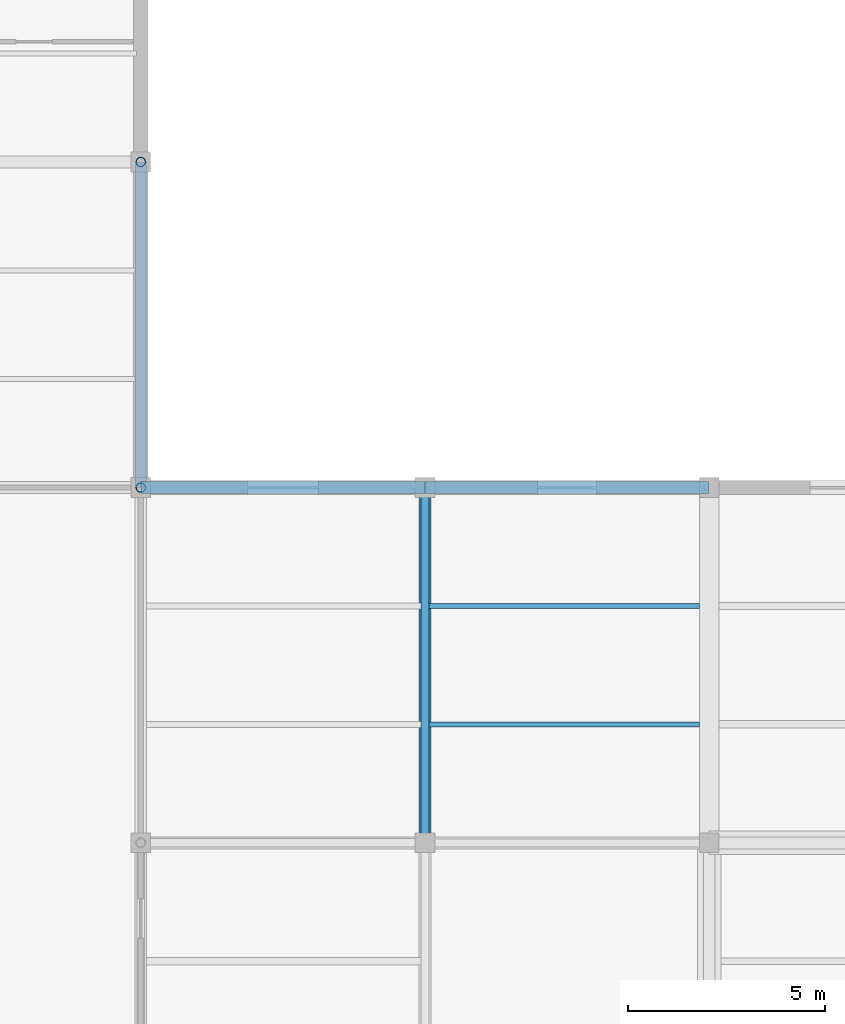
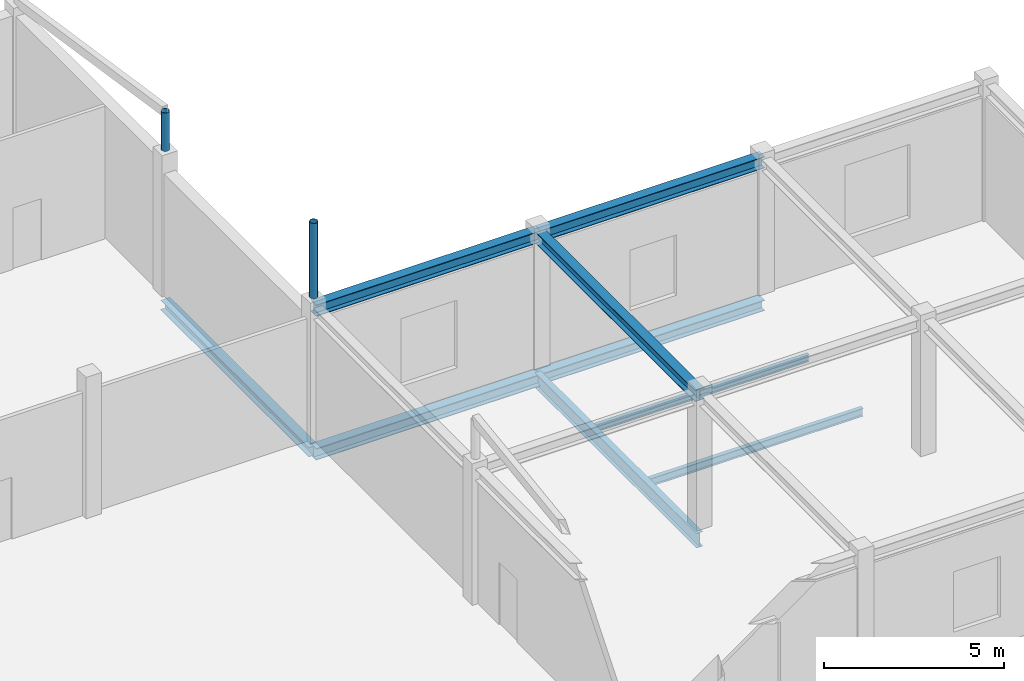
# One storey, part 13 of 35: 9 beams, 2 members.
"""IFC4 building model written with IfcOpenShell, lengths in metres."""

import ifcopenshell
import ifcopenshell.guid

model = None  # the IFC model being written
_history = None  # IfcOwnerHistory: only IFC2X3 demands one
_inside = {}  # id of a spatial element -> (the spatial element, [elements in it])
_under = {}  # id of a project, library or spatial element -> (it, [spatial elements below it])
_declared = {}  # id of a project -> (the project, [libraries it declares])
_typed = {}  # id of a type object -> (the type object, [elements of that type])
_made_of = {}  # id of a material, layer set ... -> (it, [elements and type objects made of it])


def new_model(schema):
    """Start an empty IFC model of exactly this schema.

    Asked for "IFC4X3", IfcOpenShell would pick the latest addendum, in which some entities
    have other attributes; the version numbers below select the first issue.
    IFC2X3 requires an IfcOwnerHistory on every rooted entity: one is made here for all.
    """
    global model, _history
    if schema == "IFC4X3":
        model = ifcopenshell.file(schema_version=(4, 3, 0, 0))
    else:
        model = ifcopenshell.file(schema=schema)
    _inside.clear()
    _under.clear()
    _declared.clear()
    _typed.clear()
    _made_of.clear()
    _history = None
    if model.schema == "IFC2X3":
        org = make("IfcOrganization", Name="unknown")
        user = make(
            "IfcPersonAndOrganization",
            ThePerson=make("IfcPerson", FamilyName="unknown"),
            TheOrganization=org,
        )
        app = make(
            "IfcApplication",
            ApplicationDeveloper=org,
            Version="unknown",
            ApplicationFullName="unknown",
            ApplicationIdentifier="unknown",
        )
        _history = make(
            "IfcOwnerHistory",
            OwningUser=user,
            OwningApplication=app,
            ChangeAction="ADDED",
            CreationDate=0,
        )
    return model


def make(cls, **values):
    """One entity of the class cls with the attributes given. An attribute that is None is left unset."""
    return model.create_entity(
        cls, **{name: value for name, value in values.items() if value is not None}
    )


def rooted(cls, **values):
    """An entity with a GlobalId (a new one), such as an element, a storey or a relation."""
    return make(cls, GlobalId=ifcopenshell.guid.new(), OwnerHistory=_history, **values)


def si_unit(unit_type, name, prefix=None):
    """IfcSIUnit, for example si_unit("LENGTHUNIT", "METRE", prefix="MILLI")."""
    return make("IfcSIUnit", UnitType=unit_type, Prefix=prefix, Name=name)


def assignment(units):
    """IfcUnitAssignment: the units of a project."""
    return None if units is None else make("IfcUnitAssignment", Units=units)


def point(xyz):
    """IfcCartesianPoint."""
    return None if xyz is None else make("IfcCartesianPoint", Coordinates=xyz)


def direction(xyz):
    """IfcDirection."""
    return None if xyz is None else make("IfcDirection", DirectionRatios=xyz)


def frame(location, z_axis=None, x_axis=None):
    """IfcAxis2Placement3D, a coordinate frame: its origin and axes. An axis left out is left unset."""
    return make(
        "IfcAxis2Placement3D",
        Location=point(location),
        Axis=direction(z_axis),
        RefDirection=direction(x_axis),
    )


def frame_2d(location, x_axis=None):
    """IfcAxis2Placement2D, a coordinate frame in the plane: its origin and x axis."""
    return make(
        "IfcAxis2Placement2D", Location=point(location), RefDirection=direction(x_axis)
    )


def origin():
    """The frame at (0, 0, 0) with its axes left unset."""
    return frame((0.0, 0.0, 0.0))


def origin_2d():
    """The frame at (0, 0) in the plane with its x axis left unset."""
    return frame_2d((0.0, 0.0))


def place(relative_to, where):
    """IfcLocalPlacement: puts the frame where relative to a parent placement (None: the world)."""
    return make(
        "IfcLocalPlacement", PlacementRelTo=relative_to, RelativePlacement=where
    )


def context(
    kind, dimensions, precision=None, world=None, true_north=None, identifier=None
):
    """IfcGeometricRepresentationContext, for example the 3D "Model" context."""
    return make(
        "IfcGeometricRepresentationContext",
        ContextIdentifier=identifier,
        ContextType=kind,
        CoordinateSpaceDimension=dimensions,
        Precision=precision,
        WorldCoordinateSystem=world,
        TrueNorth=true_north,
    )


def subcontext(parent, identifier, kind, view, scale=None):
    """IfcGeometricRepresentationSubContext, for example "Body" below "Model"."""
    return make(
        "IfcGeometricRepresentationSubContext",
        ContextIdentifier=identifier,
        ContextType=kind,
        ParentContext=parent,
        TargetScale=scale,
        TargetView=view,
    )


def project(units=None, contexts=None):
    """IfcProject with its units and contexts."""
    return rooted(
        "IfcProject",
        Name="project",
        RepresentationContexts=contexts,
        UnitsInContext=assignment(units),
    )


def spatial(cls, under=None, at=None, **own):
    """A site, building, storey or space (cls), placed at a placement, below another one or the project."""
    s = rooted(cls, ObjectPlacement=at, **own)
    if under is not None:
        _under.setdefault(under.id(), (under, []))[1].append(s)
    return s


def profile(cls, at=None, kind="AREA", **sizes):
    """A parametric profile (cls). Its sizes go by their IFC names, for example OverallWidth=200.0."""
    return make(cls, ProfileType=kind, Position=at, **sizes)


def hollow_circle(**sizes):
    """IfcCircleHollowProfileDef."""
    return profile("IfcCircleHollowProfileDef", **sizes)


def i_section(**sizes):
    """IfcIShapeProfileDef."""
    return profile("IfcIShapeProfileDef", **sizes)


def extrude(swept, where, along, depth):
    """IfcExtrudedAreaSolid: the profile swept, set in the frame where, extruded along a direction by depth."""
    return make(
        "IfcExtrudedAreaSolid",
        SweptArea=swept,
        Position=where,
        ExtrudedDirection=direction(along),
        Depth=depth,
    )


def shape(context_of_items, identifier, shape_type, items):
    """IfcShapeRepresentation: the items that make up one representation, for example the "Body"."""
    return make(
        "IfcShapeRepresentation",
        ContextOfItems=context_of_items,
        RepresentationIdentifier=identifier,
        RepresentationType=shape_type,
        Items=items,
    )


def material(Name=None, Category=None):
    """IfcMaterial."""
    return make("IfcMaterial", Name=Name, Category=Category)


def material_profile(
    of_material, cross_section, Name=None, Category=None, Priority=None
):
    """IfcMaterialProfile: a cross section and its material."""
    return make(
        "IfcMaterialProfile",
        Name=Name,
        Material=of_material,
        Profile=cross_section,
        Priority=Priority,
        Category=Category,
    )


def profile_set(profiles, Name=None, composite=None):
    """IfcMaterialProfileSet."""
    return make(
        "IfcMaterialProfileSet",
        Name=Name,
        MaterialProfiles=profiles,
        CompositeProfile=composite,
    )


def made_of(thing, what):
    """Note that an element or type object is made of a material, layer set ...; save() writes the relation."""
    if what is not None:
        _made_of.setdefault(what.id(), (what, []))[1].append(thing)
    return thing


def type_object(cls, material=None, **own):
    """A type object (cls), such as IfcWallType, which elements share."""
    return made_of(rooted(cls, **own), material)


def element(
    cls,
    number,
    at=None,
    inside=None,
    cuts=None,
    type_object=None,
    material=None,
    context=None,
    identifier="Body",
    shape_type=None,
    held_by="IfcProductDefinitionShape",
    body=None,
    shapes=None,
    **own,
):
    """One element of the class cls, such as IfcWall. Its Tag is "e" and its number.

    at: its placement. inside: the storey or other place that contains it. cuts: it is an
    opening in that element (IfcRelVoidsElement). A single representation is given by context,
    identifier, shape_type and body (its items); several are given by shapes. held_by: the class
    of the entity that holds the representations. save() writes the other relations.
    """
    e = rooted(cls, Tag="e%d" % number, ObjectPlacement=at, **own)
    if body is not None:
        shapes = [shape(context, identifier, shape_type, body)]
    if shapes is not None:
        e.Representation = make(held_by, Representations=shapes)
    if inside is not None:
        _inside.setdefault(inside.id(), (inside, []))[1].append(e)
    if cuts is not None:
        rooted(
            "IfcRelVoidsElement", RelatingBuildingElement=cuts, RelatedOpeningElement=e
        )
    if type_object is not None:
        _typed.setdefault(type_object.id(), (type_object, []))[1].append(e)
    return made_of(e, material)


def aggregate(whole, parts):
    """IfcRelAggregates: a whole, such as a stair, and the parts it consists of."""
    return rooted("IfcRelAggregates", RelatingObject=whole, RelatedObjects=parts)


def save(model, path):
    """Write the relations noted so far, then the file.

    IfcRelAggregates (storeys below a building ...), IfcRelContainedInSpatialStructure (elements
    in a storey), IfcRelDefinesByType, IfcRelAssociatesMaterial and IfcRelDeclares: one each for
    every whole, place, type object, material and project.
    """
    for whole, parts in _under.values():
        aggregate(whole, parts)
    for where, things in _inside.values():
        rooted(
            "IfcRelContainedInSpatialStructure",
            RelatedElements=things,
            RelatingStructure=where,
        )
    for kind, things in _typed.values():
        rooted("IfcRelDefinesByType", RelatedObjects=things, RelatingType=kind)
    for what, things in _made_of.values():
        rooted("IfcRelAssociatesMaterial", RelatedObjects=things, RelatingMaterial=what)
    for by, libraries in _declared.values():
        rooted("IfcRelDeclares", RelatingContext=by, RelatedDefinitions=libraries)
    model.write(path)


model = new_model("IFC4")

# Units and contexts
model_context = context("Model", 3, precision=1e-05, world=origin(), true_north=direction((0.0, 1.0)))
body_context = subcontext(model_context, "Body", "Model", "MODEL_VIEW")
ifc_project = project(units=[si_unit("LENGTHUNIT", "METRE"), si_unit("AREAUNIT", "SQUARE_METRE"), si_unit("VOLUMEUNIT", "CUBIC_METRE"), si_unit("PLANEANGLEUNIT", "RADIAN"), si_unit("MASSUNIT", "GRAM", prefix="KILO")], contexts=[model_context])

# Site, building, storey
site_placement = place(None, origin())
site = spatial("IfcSite", under=ifc_project, at=site_placement, CompositionType="ELEMENT")
building_placement = place(site_placement, origin())
building = spatial("IfcBuilding", under=site, at=building_placement, Name="Sundgate Opera House", CompositionType="ELEMENT")
storey_placement = place(building_placement, frame((0.0, 0.0, 21.60009765625)))
storey = spatial("IfcBuildingStorey", under=building, at=storey_placement, Name="L04", CompositionType="ELEMENT", Elevation=21.60009765625)

# Beams
ifc_material_1 = material(Name="Steel S355J2", Category="steel")
ifc_material_profile_1 = material_profile(ifc_material_1, i_section(OverallWidth=0.300048828125, OverallDepth=0.330078125, WebThickness=0.009521484375, FlangeThickness=0.0166015625, at=origin_2d()), Name="HEA 340")
ifc_profile_set_1 = profile_set([ifc_material_profile_1], Name="Steel S355J2")
beam_type_1 = type_object("IfcBeamType", Name="BM-GR-HEA340", PredefinedType="BEAM", material=ifc_profile_set_1)
beam_1_placement = place(storey_placement, frame((124.199951171875, 87.0, -0.445068359375), z_axis=(0.0, 1.0, 0.0), x_axis=(-1.0, 0.0, 0.0)))
element("IfcBeam", 1, at=beam_1_placement, inside=storey, type_object=beam_type_1, Name="L04 Primary N-S Girder B2934", PredefinedType="BEAM", context=body_context, shape_type="SweptSolid", body=[
    extrude(i_section(OverallWidth=0.300048828125, OverallDepth=0.330078125, WebThickness=0.009521484375, FlangeThickness=0.0166015625, at=origin_2d()), origin(), (0.0, 0.0, 1.0), 8.25),
])
ifc_material_2 = material(Name="Steel S355J2", Category="steel")
ifc_material_profile_2 = material_profile(ifc_material_2, i_section(OverallWidth=0.300048828125, OverallDepth=0.389892578125, WebThickness=0.010986328125, FlangeThickness=0.01904296875, at=origin_2d()), Name="HEA 400")
ifc_profile_set_2 = profile_set([ifc_material_profile_2], Name="Steel S355J2")
beam_type_2 = type_object("IfcBeamType", Name="BM-GR-HEA400", PredefinedType="BEAM", material=ifc_profile_set_2)
beam_2_placement = place(storey_placement, frame((131.39990234375, 78.0, 4.39501953125), z_axis=(0.0, 1.0, 0.0), x_axis=(-1.0, 0.0, 0.0)))
element("IfcBeam", 2, at=beam_2_placement, inside=storey, type_object=beam_type_2, Name="L04 L04 Roof Girder B3424", PredefinedType="BEAM", context=body_context, shape_type="SweptSolid", body=[
    extrude(i_section(OverallWidth=0.300048828125, OverallDepth=0.389892578125, WebThickness=0.010986328125, FlangeThickness=0.01904296875, at=origin_2d()), origin(), (0.0, 0.0, 1.0), 9.0),
])
beam_3_placement = place(storey_placement, frame((124.199951171875, 87.0, 4.39501953125), z_axis=(1.0, 0.0, 0.0), x_axis=(0.0, 1.0, 0.0)))
element("IfcBeam", 3, at=beam_3_placement, inside=storey, type_object=beam_type_2, Name="L04 L04 Roof Girder B3435", PredefinedType="BEAM", context=body_context, shape_type="SweptSolid", body=[
    extrude(i_section(OverallWidth=0.300048828125, OverallDepth=0.389892578125, WebThickness=0.010986328125, FlangeThickness=0.01904296875, at=origin_2d()), origin(), (0.0, 0.0, 1.0), 7.199951171875),
])
beam_4_placement = place(storey_placement, frame((131.39990234375, 87.0, 4.39501953125), z_axis=(1.0, 0.0, 0.0), x_axis=(0.0, 1.0, 0.0)))
element("IfcBeam", 4, at=beam_4_placement, inside=storey, type_object=beam_type_2, Name="L04 L04 Roof Girder B3436", PredefinedType="BEAM", context=body_context, shape_type="SweptSolid", body=[
    extrude(i_section(OverallWidth=0.300048828125, OverallDepth=0.389892578125, WebThickness=0.010986328125, FlangeThickness=0.01904296875, at=origin_2d()), origin(), (0.0, 0.0, 1.0), 7.2001953125),
])
ifc_material_3 = material(Name="Steel S355J2", Category="steel")
ifc_material_profile_3 = material_profile(ifc_material_3, i_section(OverallWidth=0.300048828125, OverallDepth=0.360107421875, WebThickness=0.012451171875, FlangeThickness=0.0224609375, at=origin_2d()), Name="HEB 360")
ifc_profile_set_3 = profile_set([ifc_material_profile_3], Name="Steel S355J2")
beam_type_3 = type_object("IfcBeamType", Name="BM-GR-HEB360", PredefinedType="BEAM", material=ifc_profile_set_3)
beam_5_placement = place(storey_placement, frame((131.39990234375, 87.0, -0.460205078125), z_axis=(1.0, 0.0, 0.0), x_axis=(0.0, 1.0, 0.0)))
element("IfcBeam", 5, at=beam_5_placement, inside=storey, type_object=beam_type_3, Name="L04 Primary E-W Girder B2994", PredefinedType="BEAM", context=body_context, shape_type="SweptSolid", body=[
    extrude(i_section(OverallWidth=0.300048828125, OverallDepth=0.360107421875, WebThickness=0.012451171875, FlangeThickness=0.0224609375, at=origin_2d()), origin(), (0.0, 0.0, 1.0), 7.2001953125),
])
ifc_material_4 = material(Name="Steel S355J2", Category="steel")
ifc_material_profile_4 = material_profile(ifc_material_4, i_section(OverallWidth=0.300048828125, OverallDepth=0.39990234375, WebThickness=0.013427734375, FlangeThickness=0.02392578125, at=origin_2d()), Name="HEB 400")
ifc_profile_set_4 = profile_set([ifc_material_profile_4], Name="Steel S355J2")
beam_type_4 = type_object("IfcBeamType", Name="BM-GR-HEB400", PredefinedType="BEAM", material=ifc_profile_set_4)
beam_6_placement = place(storey_placement, frame((124.199951171875, 87.0, -0.47998046875), z_axis=(1.0, 0.0, 0.0), x_axis=(0.0, 1.0, 0.0)))
element("IfcBeam", 6, at=beam_6_placement, inside=storey, type_object=beam_type_4, Name="L04 Primary E-W Girder B2993", PredefinedType="BEAM", context=body_context, shape_type="SweptSolid", body=[
    extrude(i_section(OverallWidth=0.300048828125, OverallDepth=0.39990234375, WebThickness=0.013427734375, FlangeThickness=0.02392578125, at=origin_2d()), origin(), (0.0, 0.0, 1.0), 7.199951171875),
])
ifc_material_5 = material(Name="Steel S355J2", Category="steel")
ifc_material_profile_5 = material_profile(ifc_material_5, i_section(OverallWidth=0.199951171875, OverallDepth=0.5, WebThickness=0.01025390625, FlangeThickness=0.01611328125, at=origin_2d()), Name="IPE 500")
ifc_profile_set_5 = profile_set([ifc_material_profile_5], Name="Steel S355J2")
beam_type_5 = type_object("IfcBeamType", Name="BM-GR-IPE500", PredefinedType="BEAM", material=ifc_profile_set_5)
beam_7_placement = place(storey_placement, frame((131.39990234375, 78.0, -0.530029296875), z_axis=(0.0, 1.0, 0.0), x_axis=(-1.0, 0.0, 0.0)))
element("IfcBeam", 7, at=beam_7_placement, inside=storey, type_object=beam_type_5, Name="L04 Primary N-S Girder B2937", PredefinedType="BEAM", context=body_context, shape_type="SweptSolid", body=[
    extrude(i_section(OverallWidth=0.199951171875, OverallDepth=0.5, WebThickness=0.01025390625, FlangeThickness=0.01611328125, at=origin_2d()), origin(), (0.0, 0.0, 1.0), 9.0),
])
ifc_material_6 = material(Name="Steel S355J2", Category="steel")
ifc_material_profile_6 = material_profile(ifc_material_6, i_section(OverallWidth=0.1201171875, OverallDepth=0.239990234375, WebThickness=0.006103515625, FlangeThickness=0.009765625, at=origin_2d()), Name="IPE 240")
ifc_profile_set_6 = profile_set([ifc_material_profile_6], Name="Steel S355J2")
beam_type_6 = type_object("IfcBeamType", Name="BM-JS-IPE240", PredefinedType="JOIST", material=ifc_profile_set_6)
beam_8_placement = place(storey_placement, frame((131.5, 84.0, -0.400146484375), z_axis=(1.0, 0.0, 0.0), x_axis=(0.0, 1.0, 0.0)))
element("IfcBeam", 8, at=beam_8_placement, inside=storey, type_object=beam_type_6, Name="L04 Secondary Floor Joist B3060", PredefinedType="JOIST", context=body_context, shape_type="SweptSolid", body=[
    extrude(i_section(OverallWidth=0.1201171875, OverallDepth=0.239990234375, WebThickness=0.006103515625, FlangeThickness=0.009765625, at=origin_2d()), origin(), (0.0, 0.0, 1.0), 6.85009765625),
])
ifc_material_7 = material(Name="Steel S355J2", Category="steel")
ifc_material_profile_7 = material_profile(ifc_material_7, i_section(OverallWidth=0.135009765625, OverallDepth=0.27001953125, WebThickness=0.006591796875, FlangeThickness=0.01025390625, at=origin_2d()), Name="IPE 270")
ifc_profile_set_7 = profile_set([ifc_material_profile_7], Name="Steel S355J2")
beam_type_7 = type_object("IfcBeamType", Name="BM-JS-IPE270", PredefinedType="JOIST", material=ifc_profile_set_7)
beam_9_placement = place(storey_placement, frame((131.5, 81.0, -0.4150390625), z_axis=(1.0, 0.0, 0.0), x_axis=(0.0, 1.0, 0.0)))
element("IfcBeam", 9, at=beam_9_placement, inside=storey, type_object=beam_type_7, Name="L04 Secondary Floor Joist B3059", PredefinedType="JOIST", context=body_context, shape_type="SweptSolid", body=[
    extrude(i_section(OverallWidth=0.135009765625, OverallDepth=0.27001953125, WebThickness=0.006591796875, FlangeThickness=0.01025390625, at=origin_2d()), origin(), (0.0, 0.0, 1.0), 6.85009765625),
])

# Members
ifc_material_8 = material(Name="Steel S355J2", Category="steel")
ifc_material_profile_8 = material_profile(ifc_material_8, hollow_circle(Radius=0.122314453125, WallThickness=0.012451171875, at=origin_2d()), Name="CHS 244.5x12.5")
ifc_profile_set_8 = profile_set([ifc_material_profile_8], Name="Steel S355J2")
member_type = type_object("IfcMemberType", Name="MB-STRUT-CHS244", PredefinedType="STRUT", material=ifc_profile_set_8)
member_1_placement = place(storey_placement, frame((124.199951171875, 87.0, 4.789794921875), z_axis=(0.0, 0.0, 1.0), x_axis=(1.0, 0.0, 0.0)))
element("IfcMember", 10, at=member_1_placement, inside=storey, type_object=member_type, Name="L04 Conservatory Crown Post M0450", PredefinedType="STRUT", context=body_context, shape_type="SweptSolid", body=[
    extrude(hollow_circle(Radius=0.122314453125, WallThickness=0.012451171875, at=origin_2d()), origin(), (0.0, 0.0, 1.0), 2.56005859375),
])
member_2_placement = place(storey_placement, frame((124.199951171875, 95.25, 4.789794921875), z_axis=(0.0, 0.0, 1.0), x_axis=(1.0, 0.0, 0.0)))
element("IfcMember", 11, at=member_2_placement, inside=storey, type_object=member_type, Name="L04 Conservatory Crown Post M0451", PredefinedType="STRUT", context=body_context, shape_type="SweptSolid", body=[
    extrude(hollow_circle(Radius=0.122314453125, WallThickness=0.012451171875, at=origin_2d()), origin(), (0.0, 0.0, 1.0), 1.31005859375),
])

save(model, "model.ifc")
